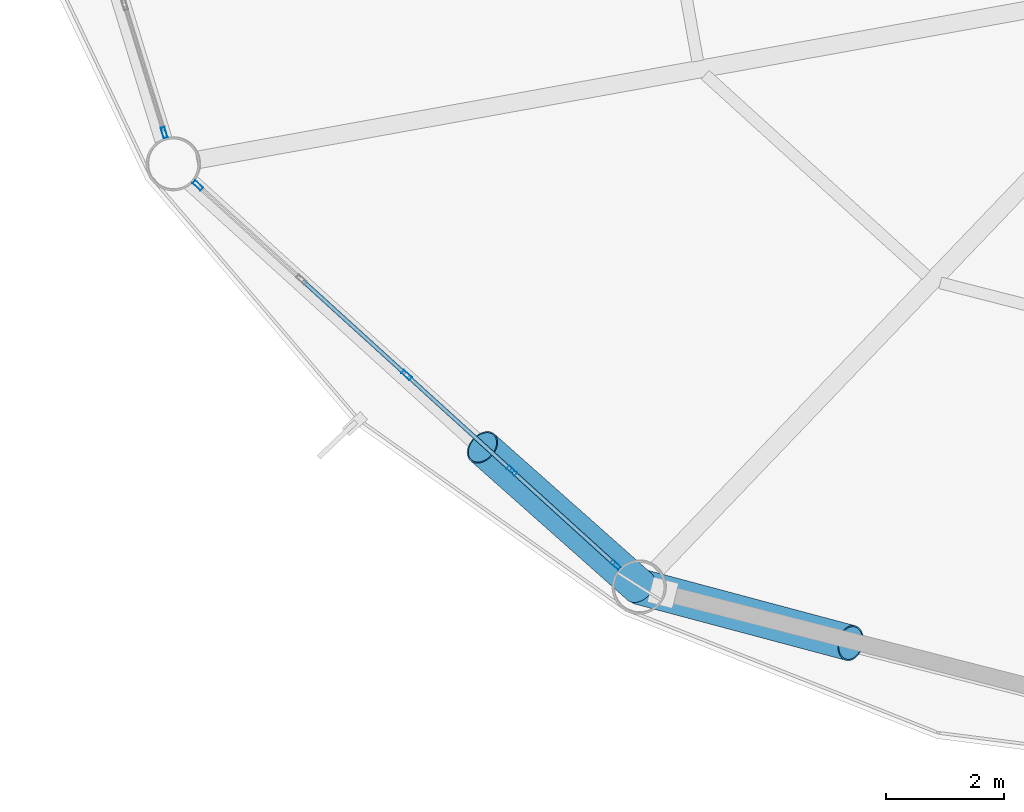
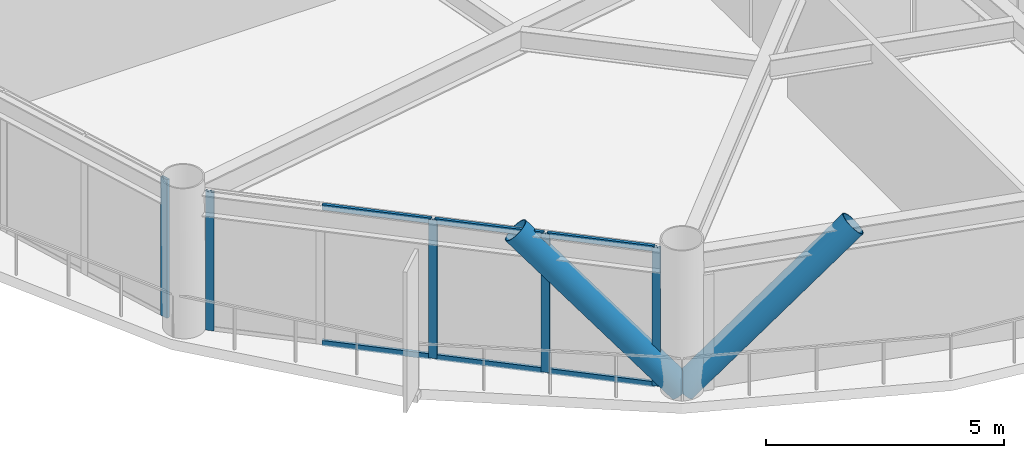
# One storey, part 2 of 25: 13 members, 2 elements without a shape of their own.
"""IFC4 building model written with IfcOpenShell, lengths in metres."""

from ifc_helpers import new_model, si_unit, direction, frame, origin, origin_2d, place, context, subcontext, project, spatial, hollow_rectangle, hollow_circle, extrude, material, layer, layer_set, material_profile, profile_set, type_object, element, aggregate, save


model = new_model("IFC4")

# Units and contexts
model_context = context("Model", 3, precision=1e-05, world=origin(), true_north=direction((0.0, 1.0)))
body_context = subcontext(model_context, "Body", "Model", "MODEL_VIEW")
ifc_project = project(units=[si_unit("LENGTHUNIT", "METRE"), si_unit("AREAUNIT", "SQUARE_METRE"), si_unit("VOLUMEUNIT", "CUBIC_METRE"), si_unit("PLANEANGLEUNIT", "RADIAN"), si_unit("MASSUNIT", "GRAM", prefix="KILO")], contexts=[model_context])

# Site, building, storey
site_placement = place(None, origin())
site = spatial("IfcSite", under=ifc_project, at=site_placement, CompositionType="ELEMENT")
building_placement = place(site_placement, origin())
building = spatial("IfcBuilding", under=site, at=building_placement, Name="Varnakorn Sky Granary", CompositionType="ELEMENT")
storey_placement = place(building_placement, frame((0.0, 0.0, 74.39990234375)))
storey = spatial("IfcBuildingStorey", under=building, at=storey_placement, Name="L18", CompositionType="ELEMENT", Elevation=74.39990234375)

# Curtain wall, member
ifc_material_1 = material(Name="Anodised Bronze Aluminium Alloy 6063-T6", Category="aluminium")
ifc_layer = layer(ifc_material_1, 0.18994140625, Name="Anodised Bronze Aluminium Alloy 6063-T6")
ifc_layer_set = layer_set([ifc_layer], Name="Anodised Bronze Aluminium Alloy 6063-T6")
curtain_wall_type = type_object("IfcCurtainWallType", Name="CW-FRM-1", PredefinedType="USERDEFINED", material=ifc_layer_set)
curtain_wall_1_placement = place(storey_placement, origin())
curtain_wall_1 = element("IfcCurtainWall", 1, at=curtain_wall_1_placement, inside=storey, type_object=curtain_wall_type, Name="Unitised Curtain Wall CW3 CW-L18-B07", ObjectType="CURTAIN WALL", PredefinedType="USERDEFINED")
ifc_material_profile_1 = material_profile(ifc_material_1, hollow_rectangle(XDim=0.070068359375, YDim=0.18505859375, WallThickness=0.00390625, at=origin_2d()), Name="ALU MULL 70x185")
ifc_profile_set_1 = profile_set([ifc_material_profile_1], Name="Anodised Bronze Aluminium Alloy 6063-T6")
member_type_1 = type_object("IfcMemberType", Name="CW-FRM-1-MULL", PredefinedType="MULLION", material=ifc_profile_set_1)
member_1_placement = place(storey_placement, frame((-20.392333984375, -9.295654296875, 0.0), z_axis=(0.0, 0.0, 1.0), x_axis=(-0.955503832529, -0.294978687405, 0.0)))
member_1 = element("IfcMember", 2, at=member_1_placement, type_object=member_type_1, Name="CW3 mullion 1", PredefinedType="MULLION", context=body_context, shape_type="SweptSolid", body=[
    extrude(hollow_rectangle(XDim=0.070068359375, YDim=0.18505859375, WallThickness=0.00390625, at=origin_2d()), origin(), (0.0, 0.0, 1.0), 3.550048828125),
])
aggregate(curtain_wall_1, [member_1])

# Curtain wall, members
curtain_wall_2_placement = place(storey_placement, origin())
curtain_wall_2 = element("IfcCurtainWall", 3, at=curtain_wall_2_placement, inside=storey, type_object=curtain_wall_type, Name="Unitised Curtain Wall CW3 CW-L18-B08", ObjectType="CURTAIN WALL", PredefinedType="USERDEFINED")
member_2_placement = place(storey_placement, frame((-12.72216796875, -16.642822265625, 0.0), z_axis=(0.0, 0.0, 1.0), x_axis=(-0.672398130197, -0.740189674683, 0.0)))
member_2 = element("IfcMember", 4, at=member_2_placement, type_object=member_type_1, Name="CW3 mullion 1", PredefinedType="MULLION", context=body_context, shape_type="SweptSolid", body=[
    extrude(hollow_rectangle(XDim=0.070068359375, YDim=0.18505859375, WallThickness=0.00390625, at=origin_2d()), origin(), (0.0, 0.0, 1.0), 3.550048828125),
])
member_3_placement = place(storey_placement, frame((-14.48388671875, -15.04248046875, 0.0), z_axis=(0.0, 0.0, 1.0), x_axis=(-0.672398130197, -0.740189674683, 0.0)))
member_3 = element("IfcMember", 5, at=member_3_placement, type_object=member_type_1, Name="CW3 mullion 2", PredefinedType="MULLION", context=body_context, shape_type="SweptSolid", body=[
    extrude(hollow_rectangle(XDim=0.070068359375, YDim=0.18505859375, WallThickness=0.00390625, at=origin_2d()), origin(), (0.0, 0.0, 1.0), 3.550048828125),
])
member_4_placement = place(storey_placement, frame((-16.271484375, -13.41845703125, 0.0), z_axis=(0.0, 0.0, 1.0), x_axis=(-0.672398130197, -0.740189674683, 0.0)))
member_4 = element("IfcMember", 6, at=member_4_placement, type_object=member_type_1, Name="CW3 mullion 3", PredefinedType="MULLION", context=body_context, shape_type="SweptSolid", body=[
    extrude(hollow_rectangle(XDim=0.070068359375, YDim=0.18505859375, WallThickness=0.00390625, at=origin_2d()), origin(), (0.0, 0.0, 1.0), 3.550048828125),
])
member_5_placement = place(storey_placement, frame((-19.82080078125, -10.194091796875, 0.0), z_axis=(0.0, 0.0, 1.0), x_axis=(-0.672398130197, -0.740189674683, 0.0)))
member_5 = element("IfcMember", 7, at=member_5_placement, type_object=member_type_1, Name="CW3 mullion 5", PredefinedType="MULLION", context=body_context, shape_type="SweptSolid", body=[
    extrude(hollow_rectangle(XDim=0.070068359375, YDim=0.18505859375, WallThickness=0.00390625, at=origin_2d()), origin(), (0.0, 0.0, 1.0), 3.550048828125),
])
ifc_material_profile_2 = material_profile(ifc_material_1, hollow_rectangle(XDim=0.070068359375, YDim=0.139892578125, WallThickness=0.00341796875, at=origin_2d()), Name="ALU TRAN 70x140")
ifc_profile_set_2 = profile_set([ifc_material_profile_2], Name="Anodised Bronze Aluminium Alloy 6063-T6")
member_type_2 = type_object("IfcMemberType", Name="CW-FRM-1-TRAN", PredefinedType="USERDEFINED", material=ifc_profile_set_2)
member_6_placement = place(storey_placement, frame((-12.748046875, -16.619140625, 0.03515625), z_axis=(-0.740217373706, 0.672367637281, 0.0), x_axis=(-0.672367637281, -0.740217373706, 0.0)))
member_6 = element("IfcMember", 8, at=member_6_placement, type_object=member_type_2, Name="CW3 transom 1.1", ObjectType="TRANSOM", PredefinedType="USERDEFINED", context=body_context, shape_type="SweptSolid", body=[
    extrude(hollow_rectangle(XDim=0.070068359375, YDim=0.139892578125, WallThickness=0.00341796875, at=origin_2d()), origin(), (0.0, 0.0, 1.0), 2.31005859375),
])
member_7_placement = place(storey_placement, frame((-12.748046875, -16.619140625, 3.51513671875), z_axis=(-0.740217373706, 0.672367637281, 0.0), x_axis=(-0.672367637281, -0.740217373706, 0.0)))
member_7 = element("IfcMember", 9, at=member_7_placement, type_object=member_type_2, Name="CW3 transom 1.2", ObjectType="TRANSOM", PredefinedType="USERDEFINED", context=body_context, shape_type="SweptSolid", body=[
    extrude(hollow_rectangle(XDim=0.070068359375, YDim=0.139892578125, WallThickness=0.00341796875, at=origin_2d()), origin(), (0.0, 0.0, 1.0), 2.31005859375),
])
member_8_placement = place(storey_placement, frame((-14.509765625, -15.018798828125, 0.03515625), z_axis=(-0.740180266474, 0.672408486801, 0.0), x_axis=(-0.672408486801, -0.740180266474, 0.0)))
member_8 = element("IfcMember", 10, at=member_8_placement, type_object=member_type_2, Name="CW3 transom 2.1", ObjectType="TRANSOM", PredefinedType="USERDEFINED", context=body_context, shape_type="SweptSolid", body=[
    extrude(hollow_rectangle(XDim=0.070068359375, YDim=0.139892578125, WallThickness=0.00341796875, at=origin_2d()), origin(), (0.0, 0.0, 1.0), 2.34521484375),
])
member_9_placement = place(storey_placement, frame((-14.509765625, -15.018798828125, 3.51513671875), z_axis=(-0.740180266474, 0.672408486801, 0.0), x_axis=(-0.672408486801, -0.740180266474, 0.0)))
member_9 = element("IfcMember", 11, at=member_9_placement, type_object=member_type_2, Name="CW3 transom 2.2", ObjectType="TRANSOM", PredefinedType="USERDEFINED", context=body_context, shape_type="SweptSolid", body=[
    extrude(hollow_rectangle(XDim=0.070068359375, YDim=0.139892578125, WallThickness=0.00341796875, at=origin_2d()), origin(), (0.0, 0.0, 1.0), 2.34521484375),
])
member_10_placement = place(storey_placement, frame((-16.29736328125, -13.39501953125, 0.03515625), z_axis=(-0.740180266474, 0.672408486801, 0.0), x_axis=(-0.672408486801, -0.740180266474, 0.0)))
member_10 = element("IfcMember", 12, at=member_10_placement, type_object=member_type_2, Name="CW3 transom 3.1", ObjectType="TRANSOM", PredefinedType="USERDEFINED", context=body_context, shape_type="SweptSolid", body=[
    extrude(hollow_rectangle(XDim=0.070068359375, YDim=0.139892578125, WallThickness=0.00341796875, at=origin_2d()), origin(), (0.0, 0.0, 1.0), 2.34521484375),
])
member_11_placement = place(storey_placement, frame((-16.29736328125, -13.39501953125, 3.51513671875), z_axis=(-0.740180266474, 0.672408486801, 0.0), x_axis=(-0.672408486801, -0.740180266474, 0.0)))
member_11 = element("IfcMember", 13, at=member_11_placement, type_object=member_type_2, Name="CW3 transom 3.2", ObjectType="TRANSOM", PredefinedType="USERDEFINED", context=body_context, shape_type="SweptSolid", body=[
    extrude(hollow_rectangle(XDim=0.070068359375, YDim=0.139892578125, WallThickness=0.00341796875, at=origin_2d()), origin(), (0.0, 0.0, 1.0), 2.34521484375),
])
aggregate(curtain_wall_2, [member_2, member_3, member_4, member_5, member_6, member_7, member_8, member_9, member_10, member_11])

# Members
ifc_material_2 = material(Name="Steel S460M", Category="steel")
ifc_material_profile_3 = material_profile(ifc_material_2, hollow_circle(Radius=0.304931640625, WallThickness=0.022216796875, at=origin_2d()), Name="CHS 610x22")
ifc_profile_set_3 = profile_set([ifc_material_profile_3], Name="Steel S460M")
member_type_3 = type_object("IfcMemberType", Name="MB-DIAG-T1", PredefinedType="BRACE", material=ifc_profile_set_3)
member_12_placement = place(storey_placement, frame((-12.3134765625, -17.013916015625, 0.0), z_axis=(-0.530266033352, 0.470560784376, 0.705259159515), x_axis=(-0.663743646277, -0.747960140667, 0.0)))
element("IfcMember", 14, at=member_12_placement, inside=storey, type_object=member_type_3, Name="Perimeter CHS Diagrid Brace DG08 L18", PredefinedType="BRACE", context=body_context, shape_type="SweptSolid", body=[
    extrude(hollow_circle(Radius=0.304931640625, WallThickness=0.022216796875, at=origin_2d()), origin(), (0.0, 0.0, 1.0), 5.03369140625),
])
member_13_placement = place(storey_placement, frame((-12.3134765625, -17.013916015625, 0.0), z_axis=(0.698426209399, -0.186285006521, 0.691012826487), x_axis=(0.257711752729, 0.966221844353, 0.0)))
element("IfcMember", 15, at=member_13_placement, inside=storey, type_object=member_type_3, Name="Perimeter CHS Diagrid Brace DG09 L18", PredefinedType="BRACE", context=body_context, shape_type="SweptSolid", body=[
    extrude(hollow_circle(Radius=0.304931640625, WallThickness=0.022216796875, at=origin_2d()), origin(), (0.0, 0.0, 1.0), 5.137451171875),
])

save(model, "model.ifc")
